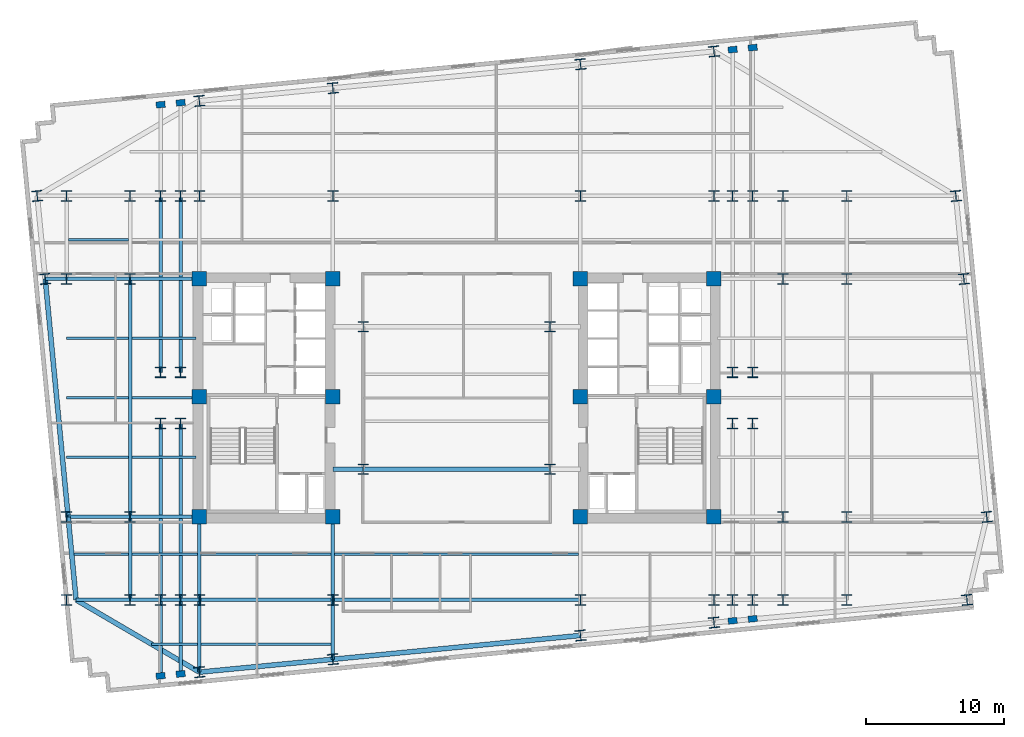
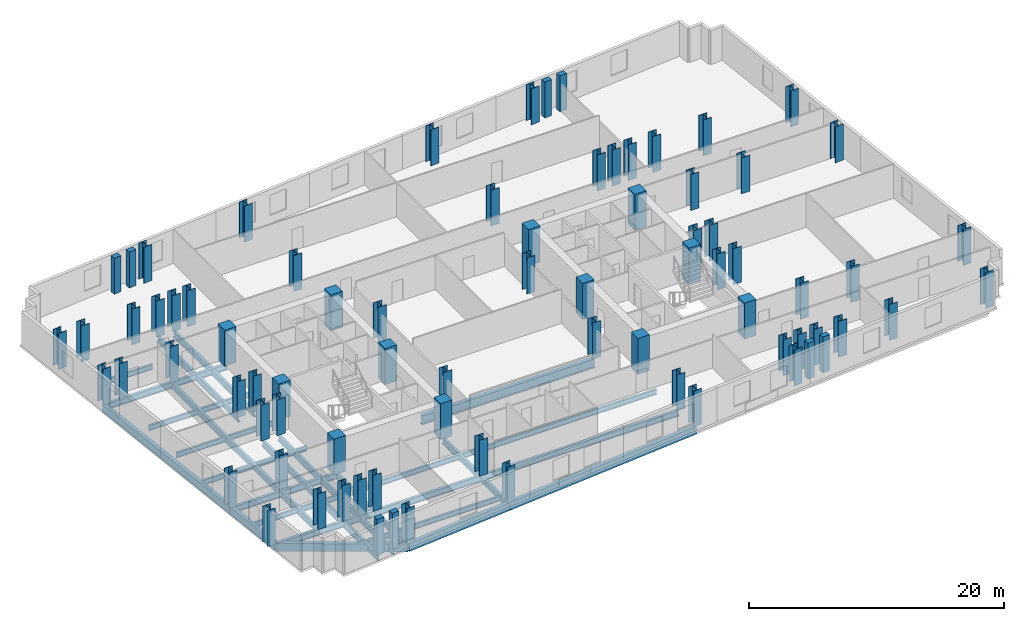
# One storey, part 1 of 10: 78 columns, 41 beams.
"""IFC4 building model written with IfcOpenShell, lengths in metres."""

from ifc_helpers import new_model, si_unit, direction, frame, origin, origin_2d, place, context, subcontext, project, spatial, rectangle, i_section, extrude, material, material_profile, profile_set, type_object, element, save


model = new_model("IFC4")

# Units and contexts
model_context = context("Model", 3, precision=1e-05, world=origin(), true_north=direction((0.0, 1.0)))
body_context = subcontext(model_context, "Body", "Model", "MODEL_VIEW")
ifc_project = project(units=[si_unit("LENGTHUNIT", "METRE"), si_unit("AREAUNIT", "SQUARE_METRE"), si_unit("VOLUMEUNIT", "CUBIC_METRE"), si_unit("PLANEANGLEUNIT", "RADIAN"), si_unit("MASSUNIT", "GRAM", prefix="KILO")], contexts=[model_context])

# Site, building, storey
site_placement = place(None, origin())
site = spatial("IfcSite", under=ifc_project, at=site_placement, CompositionType="ELEMENT")
building_placement = place(site_placement, origin())
building = spatial("IfcBuilding", under=site, at=building_placement, Name="Velakula Bourse", CompositionType="ELEMENT")
storey_placement = place(building_placement, frame((0.0, 0.0, 94.89990234375)))
storey = spatial("IfcBuildingStorey", under=building, at=storey_placement, Name="L25", CompositionType="ELEMENT", Elevation=94.89990234375)

# Columns
ifc_material_1 = material(Name="Concrete M70 (fck 70 MPa)", Category="concrete")
ifc_material_profile_1 = material_profile(ifc_material_1, rectangle(XDim=1.050048828125, YDim=1.050048828125, at=origin_2d()), Name="Concrete M70 (fck 70 MPa)")
ifc_profile_set_1 = profile_set([ifc_material_profile_1], Name="Concrete M70 (fck 70 MPa)")
column_type_1 = type_object("IfcColumnType", Name="COL-RC-1050", PredefinedType="COLUMN", material=ifc_profile_set_1)
for number, where, z_axis, x_axis, name in (
    (1, (-8.949951171875, -8.60009765625, 0.0), (0.0, 0.0, 1.0), (1.0, 0.0, 0.0), "L25 Core Boundary Column 01"),
    (2, (-8.949951171875, 0.10009765625, 0.0), (0.0, 0.0, 1.0), (1.0, 0.0, 0.0), "L25 Core Boundary Column 02"),
    (3, (-8.949951171875, 8.60009765625, 0.0), (0.0, 0.0, 1.0), (1.0, 0.0, 0.0), "L25 Core Boundary Column 03"),
    (4, (-18.60009765625, -8.60009765625, 0.0), (0.0, 0.0, 1.0), (1.0, 0.0, 0.0), "L25 Core Boundary Column 04"),
    (5, (-18.60009765625, 0.10009765625, 0.0), (0.0, 0.0, 1.0), (1.0, 0.0, 0.0), "L25 Core Boundary Column 05"),
    (6, (-18.60009765625, 8.60009765625, 0.0), (0.0, 0.0, 1.0), (1.0, 0.0, 0.0), "L25 Core Boundary Column 06"),
    (7, (8.949951171875, -8.60009765625, 0.0), (0.0, 0.0, 1.0), (1.0, 0.0, 0.0), "L25 Core Boundary Column 07"),
    (8, (8.949951171875, 0.10009765625, 0.0), (0.0, 0.0, 1.0), (1.0, 0.0, 0.0), "L25 Core Boundary Column 08"),
    (9, (8.949951171875, 8.60009765625, 0.0), (0.0, 0.0, 1.0), (1.0, 0.0, 0.0), "L25 Core Boundary Column 09"),
    (10, (18.60009765625, -8.60009765625, 0.0), (0.0, 0.0, 1.0), (1.0, 0.0, 0.0), "L25 Core Boundary Column 10"),
    (11, (18.60009765625, 0.10009765625, 0.0), (0.0, 0.0, 1.0), (1.0, 0.0, 0.0), "L25 Core Boundary Column 11"),
    (12, (18.60009765625, 8.60009765625, 0.0), (0.0, 0.0, 1.0), (1.0, 0.0, 0.0), "L25 Core Boundary Column 12"),
):
    element("IfcColumn", number, at=place(storey_placement, frame(where, z_axis=z_axis, x_axis=x_axis)), inside=storey, type_object=column_type_1, Name=name, PredefinedType="COLUMN", context=body_context, shape_type="SweptSolid", body=[
        extrude(rectangle(XDim=1.050048828125, YDim=1.050048828125, at=origin_2d()), origin(), (0.0, 0.0, 1.0), 3.4501953125),
    ])
ifc_material_2 = material(Name="Steel IS 2062 Grade 450 (E450)", Category="steel")
ifc_material_profile_2 = material_profile(ifc_material_2, i_section(OverallWidth=0.75, OverallDepth=0.75, WebThickness=0.030029296875, FlangeThickness=0.0439453125, at=origin_2d()), Name="Steel IS 2062 Grade 450 (E450)")
ifc_profile_set_2 = profile_set([ifc_material_profile_2], Name="Steel IS 2062 Grade 450 (E450)")
column_type_2 = type_object("IfcColumnType", Name="COL-STL-750", PredefinedType="COLUMN", material=ifc_profile_set_2)
for number, where, z_axis, x_axis, name in (
    (13, (-6.75, -5.14990234375, 0.0), (0.0, 0.0, 1.0), (1.0, 0.0, 0.0), "L25 Central Spine Column 01"),
    (14, (-6.75, 5.14990234375, 0.0), (0.0, 0.0, 1.0), (1.0, 0.0, 0.0), "L25 Central Spine Column 02"),
    (15, (6.75, -5.14990234375, 0.0), (0.0, 0.0, 1.0), (1.0, 0.0, 0.0), "L25 Central Spine Column 03"),
    (16, (6.75, 5.14990234375, 0.0), (0.0, 0.0, 1.0), (1.0, 0.0, 0.0), "L25 Central Spine Column 04"),
    (17, (-21.39990234375, -14.60009765625, 0.0), (0.0, 0.0, 1.0), (1.0, 0.0, 0.0), "L25 Tower Fulcrum Column 01"),
    (18, (-21.39990234375, 14.60009765625, 0.0), (0.0, 0.0, 1.0), (1.0, 0.0, 0.0), "L25 Tower Fulcrum Column 02"),
    (19, (-19.949951171875, -14.60009765625, 0.0), (0.0, 0.0, 1.0), (1.0, 0.0, 0.0), "L25 Tower Fulcrum Column 03"),
    (20, (-19.949951171875, 14.60009765625, 0.0), (0.0, 0.0, 1.0), (1.0, 0.0, 0.0), "L25 Tower Fulcrum Column 04"),
    (21, (-18.60009765625, -14.60009765625, 0.0), (0.0, 0.0, 1.0), (1.0, 0.0, 0.0), "L25 Tower Fulcrum Column 05"),
    (22, (-18.60009765625, 14.60009765625, 0.0), (0.0, 0.0, 1.0), (1.0, 0.0, 0.0), "L25 Tower Fulcrum Column 06"),
    (23, (-8.949951171875, -14.60009765625, 0.0), (0.0, 0.0, 1.0), (1.0, 0.0, 0.0), "L25 Tower Fulcrum Column 07"),
    (24, (-8.949951171875, 14.60009765625, 0.0), (0.0, 0.0, 1.0), (1.0, 0.0, 0.0), "L25 Tower Fulcrum Column 08"),
    (25, (8.949951171875, -14.60009765625, 0.0), (0.0, 0.0, 1.0), (1.0, 0.0, 0.0), "L25 Tower Fulcrum Column 09"),
    (26, (8.949951171875, 14.60009765625, 0.0), (0.0, 0.0, 1.0), (1.0, 0.0, 0.0), "L25 Tower Fulcrum Column 10"),
    (27, (18.60009765625, -14.60009765625, 0.0), (0.0, 0.0, 1.0), (1.0, 0.0, 0.0), "L25 Tower Fulcrum Column 11"),
    (28, (18.60009765625, 14.60009765625, 0.0), (0.0, 0.0, 1.0), (1.0, 0.0, 0.0), "L25 Tower Fulcrum Column 12"),
    (29, (19.949951171875, -14.60009765625, 0.0), (0.0, 0.0, 1.0), (1.0, 0.0, 0.0), "L25 Tower Fulcrum Column 13"),
    (30, (19.949951171875, 14.60009765625, 0.0), (0.0, 0.0, 1.0), (1.0, 0.0, 0.0), "L25 Tower Fulcrum Column 14"),
    (31, (21.39990234375, -14.60009765625, 0.0), (0.0, 0.0, 1.0), (1.0, 0.0, 0.0), "L25 Tower Fulcrum Column 15"),
    (32, (21.39990234375, 14.60009765625, 0.0), (0.0, 0.0, 1.0), (1.0, 0.0, 0.0), "L25 Tower Fulcrum Column 16"),
    (33, (-21.39990234375, -1.85009765625, 0.0), (0.0, 0.0, 1.0), (1.0, 0.0, 0.0), "L25 Tower Fulcrum Column 17"),
    (34, (-21.39990234375, 1.85009765625, 0.0), (0.0, 0.0, 1.0), (1.0, 0.0, 0.0), "L25 Tower Fulcrum Column 18"),
    (35, (-19.949951171875, -1.85009765625, 0.0), (0.0, 0.0, 1.0), (1.0, 0.0, 0.0), "L25 Tower Fulcrum Column 19"),
    (36, (-19.949951171875, 1.85009765625, 0.0), (0.0, 0.0, 1.0), (1.0, 0.0, 0.0), "L25 Tower Fulcrum Column 20"),
    (37, (19.949951171875, -1.85009765625, 0.0), (0.0, 0.0, 1.0), (1.0, 0.0, 0.0), "L25 Tower Fulcrum Column 21"),
    (38, (19.949951171875, 1.85009765625, 0.0), (0.0, 0.0, 1.0), (1.0, 0.0, 0.0), "L25 Tower Fulcrum Column 22"),
    (39, (21.39990234375, -1.85009765625, 0.0), (0.0, 0.0, 1.0), (1.0, 0.0, 0.0), "L25 Tower Fulcrum Column 23"),
    (40, (21.39990234375, 1.85009765625, 0.0), (0.0, 0.0, 1.0), (1.0, 0.0, 0.0), "L25 Tower Fulcrum Column 24"),
    (41, (-23.60009765625, -14.60009765625, 0.0), (0.0, 0.0, 1.0), (1.0, 0.0, 0.0), "L25 Mid-Wing Plumb Column 01"),
    (42, (-23.60009765625, -8.60009765625, 0.0), (0.0, 0.0, 1.0), (1.0, 0.0, 0.0), "L25 Mid-Wing Plumb Column 02"),
    (43, (-23.60009765625, 8.60009765625, 0.0), (0.0, 0.0, 1.0), (1.0, 0.0, 0.0), "L25 Mid-Wing Plumb Column 03"),
    (44, (-23.60009765625, 14.60009765625, 0.0), (0.0, 0.0, 1.0), (1.0, 0.0, 0.0), "L25 Mid-Wing Plumb Column 04"),
    (45, (23.60009765625, -14.60009765625, 0.0), (0.0, 0.0, 1.0), (1.0, 0.0, 0.0), "L25 Mid-Wing Plumb Column 05"),
    (46, (23.60009765625, -8.60009765625, 0.0), (0.0, 0.0, 1.0), (1.0, 0.0, 0.0), "L25 Mid-Wing Plumb Column 06"),
    (47, (23.60009765625, 8.60009765625, 0.0), (0.0, 0.0, 1.0), (1.0, 0.0, 0.0), "L25 Mid-Wing Plumb Column 07"),
    (48, (23.60009765625, 14.60009765625, 0.0), (0.0, 0.0, 1.0), (1.0, 0.0, 0.0), "L25 Mid-Wing Plumb Column 08"),
    (49, (-28.199951171875, -14.60009765625, 0.0), (0.0, 0.0, 1.0), (1.0, 0.0, 0.0), "L25 Lower Wing Column 01"),
    (50, (-28.199951171875, -8.60009765625, 0.0), (0.0, 0.0, 1.0), (1.0, 0.0, 0.0), "L25 Lower Wing Column 02"),
    (51, (-28.199951171875, 8.60009765625, 0.0), (0.0, 0.0, 1.0), (1.0, 0.0, 0.0), "L25 Lower Wing Column 03"),
    (52, (-28.199951171875, 14.60009765625, 0.0), (0.0, 0.0, 1.0), (1.0, 0.0, 0.0), "L25 Lower Wing Column 04"),
    (53, (28.199951171875, -14.60009765625, 0.0), (0.0, 0.0, 1.0), (1.0, 0.0, 0.0), "L25 Lower Wing Column 05"),
    (54, (28.199951171875, -8.60009765625, 0.0), (0.0, 0.0, 1.0), (1.0, 0.0, 0.0), "L25 Lower Wing Column 06"),
    (55, (28.199951171875, 8.60009765625, 0.0), (0.0, 0.0, 1.0), (1.0, 0.0, 0.0), "L25 Lower Wing Column 07"),
    (56, (28.199951171875, 14.60009765625, 0.0), (0.0, 0.0, 1.0), (1.0, 0.0, 0.0), "L25 Lower Wing Column 08"),
    (57, (-18.60009765625, -19.8212890625, 0.0), (0.0, 0.0, 1.0), (0.995396198367, 0.09584575252, 0.0), "L25 Block B2 Perimeter Column S1"),
    (58, (-8.949951171875, -18.89208984375, 0.0), (0.0, 0.0, 1.0), (0.995396198367, 0.09584575252, 0.0), "L25 Block B2 Perimeter Column S2"),
    (59, (8.949951171875, -17.16845703125, 0.0), (0.0, 0.0, 1.0), (0.995396198367, 0.09584575252, 0.0), "L25 Block B2 Perimeter Column S3"),
    (60, (18.60009765625, -16.2392578125, 0.0), (0.0, 0.0, 1.0), (0.995396198367, 0.09584575252, 0.0), "L25 Block B2 Perimeter Column S4"),
    (61, (-18.60009765625, 21.468994140625, 0.0), (0.0, 0.0, 1.0), (0.995396198367, 0.09584575252, 0.0), "L25 Block B2 Perimeter Column N1"),
    (62, (-8.949951171875, 22.398193359375, 0.0), (0.0, 0.0, 1.0), (0.995396198367, 0.09584575252, 0.0), "L25 Block B2 Perimeter Column N2"),
    (63, (8.949951171875, 24.12158203125, 0.0), (0.0, 0.0, 1.0), (0.995396198367, 0.09584575252, 0.0), "L25 Block B2 Perimeter Column N3"),
    (64, (18.60009765625, 25.05078125, 0.0), (0.0, 0.0, 1.0), (0.995396198367, 0.09584575252, 0.0), "L25 Block B2 Perimeter Column N4"),
    (65, (-29.7421875, 8.60009765625, 0.0), (0.0, 0.0, 1.0), (0.995396198367, 0.09584575252, 0.0), "L25 Block B2 Perimeter Column W3"),
    (66, (-30.31982421875, 14.60009765625, 0.0), (0.0, 0.0, 1.0), (0.995396198367, 0.09584575252, 0.0), "L25 Block B2 Perimeter Column W4"),
    (67, (36.88818359375, -14.60009765625, 0.0), (0.0, 0.0, 1.0), (0.995396198367, 0.09584575252, 0.0), "L25 Block B2 Perimeter Column E1"),
    (68, (38.31982421875, -8.60009765625, 0.0), (0.0, 0.0, 1.0), (0.995396198367, 0.09584575252, 0.0), "L25 Block B2 Perimeter Column E2"),
    (69, (36.66357421875, 8.60009765625, 0.0), (0.0, 0.0, 1.0), (0.995396198367, 0.09584575252, 0.0), "L25 Block B2 Perimeter Column E3"),
    (70, (36.0859375, 14.60009765625, 0.0), (0.0, 0.0, 1.0), (0.995396198367, 0.09584575252, 0.0), "L25 Block B2 Perimeter Column E4"),
):
    element("IfcColumn", number, at=place(storey_placement, frame(where, z_axis=z_axis, x_axis=x_axis)), inside=storey, type_object=column_type_2, Name=name, PredefinedType="COLUMN", context=body_context, shape_type="SweptSolid", body=[
        extrude(i_section(OverallWidth=0.75, OverallDepth=0.75, WebThickness=0.030029296875, FlangeThickness=0.0439453125, at=origin_2d()), origin(), (0.0, 0.0, 1.0), 3.4501953125),
    ])
ifc_material_3 = material(Name="Precast concrete M45 (fck 45 MPa)", Category="concrete")
ifc_material_profile_3 = material_profile(ifc_material_3, rectangle(XDim=0.64990234375, YDim=0.449951171875, at=origin_2d()), Name="Precast concrete M45 (fck 45 MPa)")
ifc_profile_set_3 = profile_set([ifc_material_profile_3], Name="Precast concrete M45 (fck 45 MPa)")
column_type_3 = type_object("IfcColumnType", Name="PIL-BRICK-650", PredefinedType="PILASTER", material=ifc_profile_set_3)
for number, where, z_axis, x_axis, name in (
    (71, (-21.39990234375, -20.0908203125, 0.0), (0.0, 0.0, 1.0), (0.995396198367, 0.09584575252, 0.0), "L25 Brick Pier Pilaster 01"),
    (72, (-19.949951171875, -19.951171875, 0.0), (0.0, 0.0, 1.0), (0.995396198367, 0.09584575252, 0.0), "L25 Brick Pier Pilaster 02"),
    (73, (19.949951171875, -16.109130859375, 0.0), (0.0, 0.0, 1.0), (0.995396198367, 0.09584575252, 0.0), "L25 Brick Pier Pilaster 03"),
    (74, (21.39990234375, -15.969482421875, 0.0), (0.0, 0.0, 1.0), (0.995396198367, 0.09584575252, 0.0), "L25 Brick Pier Pilaster 04"),
    (75, (-21.39990234375, 21.19921875, 0.0), (0.0, 0.0, 1.0), (0.995396198367, 0.09584575252, 0.0), "L25 Brick Pier Pilaster 05"),
    (76, (-19.949951171875, 21.3388671875, 0.0), (0.0, 0.0, 1.0), (0.995396198367, 0.09584575252, 0.0), "L25 Brick Pier Pilaster 06"),
    (77, (19.949951171875, 25.180908203125, 0.0), (0.0, 0.0, 1.0), (0.995396198367, 0.09584575252, 0.0), "L25 Brick Pier Pilaster 07"),
    (78, (21.39990234375, 25.320556640625, 0.0), (0.0, 0.0, 1.0), (0.995396198367, 0.09584575252, 0.0), "L25 Brick Pier Pilaster 08"),
):
    element("IfcColumn", number, at=place(storey_placement, frame(where, z_axis=z_axis, x_axis=x_axis)), inside=storey, type_object=column_type_3, Name=name, PredefinedType="PILASTER", context=body_context, shape_type="SweptSolid", body=[
        extrude(rectangle(XDim=0.64990234375, YDim=0.449951171875, at=origin_2d()), origin(), (0.0, 0.0, 1.0), 3.4501953125),
    ])

# Beams
ifc_material_4 = material(Name="Steel IS 2062 Grade 350 (E350)", Category="steel")
ifc_material_profile_4 = material_profile(ifc_material_4, i_section(OverallWidth=0.25, OverallDepth=0.60009765625, WebThickness=0.01171875, FlangeThickness=0.023681640625, at=origin_2d()), Name="Steel IS 2062 Grade 350 (E350)")
ifc_profile_set_4 = profile_set([ifc_material_profile_4], Name="Steel IS 2062 Grade 350 (E350)")
beam_type_1 = type_object("IfcBeamType", Name="BM-GRD-600H", PredefinedType="BEAM", material=ifc_profile_set_4)
for number, where, z_axis, x_axis, name in (
    (79, (-18.60009765625, -14.60009765625, -0.47998046875), (0.0, 1.0, 0.0), (-1.0, 0.0, 0.0), "L25 Fulcrum Grid Girder FLC-WS"),
    (80, (-8.949951171875, -14.60009765625, -0.47998046875), (0.0, 1.0, 0.0), (-1.0, 0.0, 0.0), "L25 Fulcrum Grid Girder FLC-WCS"),
):
    element("IfcBeam", number, at=place(storey_placement, frame(where, z_axis=z_axis, x_axis=x_axis)), inside=storey, type_object=beam_type_1, Name=name, PredefinedType="BEAM", context=body_context, shape_type="SweptSolid", body=[
        extrude(i_section(OverallWidth=0.25, OverallDepth=0.60009765625, WebThickness=0.01171875, FlangeThickness=0.023681640625, at=origin_2d()), origin(), (0.0, 0.0, 1.0), 6.0),
    ])
beam_1_placement = place(storey_placement, frame((-18.60009765625, -14.60009765625, -0.47998046875), z_axis=(1.0, 0.0, 0.0), x_axis=(0.0, 1.0, 0.0)))
element("IfcBeam", 81, at=beam_1_placement, inside=storey, type_object=beam_type_1, Name="L25 Fulcrum Grid Girder FLC-S1", PredefinedType="BEAM", context=body_context, shape_type="SweptSolid", body=[
    extrude(i_section(OverallWidth=0.25, OverallDepth=0.60009765625, WebThickness=0.01171875, FlangeThickness=0.023681640625, at=origin_2d()), origin(), (0.0, 0.0, 1.0), 9.650146484375),
])
beam_2_placement = place(storey_placement, frame((-8.949951171875, -14.60009765625, -0.47998046875), z_axis=(1.0, 0.0, 0.0), x_axis=(0.0, 1.0, 0.0)))
element("IfcBeam", 82, at=beam_2_placement, inside=storey, type_object=beam_type_1, Name="L25 Fulcrum Grid Girder FLC-S2", PredefinedType="BEAM", context=body_context, shape_type="SweptSolid", body=[
    extrude(i_section(OverallWidth=0.25, OverallDepth=0.60009765625, WebThickness=0.01171875, FlangeThickness=0.023681640625, at=origin_2d()), origin(), (0.0, 0.0, 1.0), 17.89990234375),
])
for number, where, z_axis, x_axis, name in (
    (83, (-21.39990234375, -14.60009765625, -0.47998046875), (0.0, 1.0, 0.0), (-1.0, 0.0, 0.0), "L25 Fulcrum Grid Girder FLC-PSW1"),
    (84, (-21.39990234375, 1.85009765625, -0.47998046875), (0.0, 1.0, 0.0), (-1.0, 0.0, 0.0), "L25 Fulcrum Grid Girder FLC-PNW1"),
    (85, (-19.949951171875, -14.60009765625, -0.47998046875), (0.0, 1.0, 0.0), (-1.0, 0.0, 0.0), "L25 Fulcrum Grid Girder FLC-PSW2"),
    (86, (-19.949951171875, 1.85009765625, -0.47998046875), (0.0, 1.0, 0.0), (-1.0, 0.0, 0.0), "L25 Fulcrum Grid Girder FLC-PNW2"),
):
    element("IfcBeam", number, at=place(storey_placement, frame(where, z_axis=z_axis, x_axis=x_axis)), inside=storey, type_object=beam_type_1, Name=name, PredefinedType="BEAM", context=body_context, shape_type="SweptSolid", body=[
        extrude(i_section(OverallWidth=0.25, OverallDepth=0.60009765625, WebThickness=0.01171875, FlangeThickness=0.023681640625, at=origin_2d()), origin(), (0.0, 0.0, 1.0), 12.75),
    ])
for number, where, z_axis, x_axis, name in (
    (87, (-23.60009765625, -14.60009765625, -0.47998046875), (1.0, 0.0, 0.0), (0.0, 1.0, 0.0), "L25 Fulcrum Grid Girder MWG-WS1"),
    (88, (-23.60009765625, -8.60009765625, -0.47998046875), (1.0, 0.0, 0.0), (0.0, 1.0, 0.0), "L25 Fulcrum Grid Girder MWG-WS2"),
    (89, (-23.60009765625, 8.60009765625, -0.47998046875), (1.0, 0.0, 0.0), (0.0, 1.0, 0.0), "L25 Fulcrum Grid Girder MWG-WN1"),
):
    element("IfcBeam", number, at=place(storey_placement, frame(where, z_axis=z_axis, x_axis=x_axis)), inside=storey, type_object=beam_type_1, Name=name, PredefinedType="BEAM", context=body_context, shape_type="SweptSolid", body=[
        extrude(i_section(OverallWidth=0.25, OverallDepth=0.60009765625, WebThickness=0.01171875, FlangeThickness=0.023681640625, at=origin_2d()), origin(), (0.0, 0.0, 1.0), 5.0),
    ])
beam_3_placement = place(storey_placement, frame((-23.60009765625, -14.60009765625, -0.47998046875), z_axis=(0.0, 1.0, 0.0), x_axis=(-1.0, 0.0, 0.0)))
element("IfcBeam", 90, at=beam_3_placement, inside=storey, type_object=beam_type_1, Name="L25 Fulcrum Grid Girder MWG-WNS1", PredefinedType="BEAM", context=body_context, shape_type="SweptSolid", body=[
    extrude(i_section(OverallWidth=0.25, OverallDepth=0.60009765625, WebThickness=0.01171875, FlangeThickness=0.023681640625, at=origin_2d()), origin(), (0.0, 0.0, 1.0), 6.0),
])
beam_4_placement = place(storey_placement, frame((-23.60009765625, -8.60009765625, -0.47998046875), z_axis=(0.0, 1.0, 0.0), x_axis=(-1.0, 0.0, 0.0)))
element("IfcBeam", 91, at=beam_4_placement, inside=storey, type_object=beam_type_1, Name="L25 Fulcrum Grid Girder MWG-WNS2", PredefinedType="BEAM", context=body_context, shape_type="SweptSolid", body=[
    extrude(i_section(OverallWidth=0.25, OverallDepth=0.60009765625, WebThickness=0.01171875, FlangeThickness=0.023681640625, at=origin_2d()), origin(), (0.0, 0.0, 1.0), 17.2001953125),
])
beam_5_placement = place(storey_placement, frame((-27.50830078125, -14.60009765625, -0.47998046875), z_axis=(1.0, 0.0, 0.0), x_axis=(0.0, 1.0, 0.0)))
element("IfcBeam", 92, at=beam_5_placement, inside=storey, type_object=beam_type_1, Name="L25 Fulcrum Grid Girder WNG-WS1", PredefinedType="BEAM", context=body_context, shape_type="SweptSolid", body=[
    extrude(i_section(OverallWidth=0.25, OverallDepth=0.60009765625, WebThickness=0.01171875, FlangeThickness=0.023681640625, at=origin_2d()), origin(), (0.0, 0.0, 1.0), 3.908203125),
])
beam_6_placement = place(storey_placement, frame((-28.0859375, -8.60009765625, -0.47998046875), z_axis=(1.0, 0.0, 0.0), x_axis=(0.0, 1.0, 0.0)))
element("IfcBeam", 93, at=beam_6_placement, inside=storey, type_object=beam_type_1, Name="L25 Fulcrum Grid Girder WNG-WS2", PredefinedType="BEAM", context=body_context, shape_type="SweptSolid", body=[
    extrude(i_section(OverallWidth=0.25, OverallDepth=0.60009765625, WebThickness=0.01171875, FlangeThickness=0.023681640625, at=origin_2d()), origin(), (0.0, 0.0, 1.0), 4.48583984375),
])
beam_7_placement = place(storey_placement, frame((-28.199951171875, 8.60009765625, -0.47998046875), z_axis=(1.0, 0.0, 0.0), x_axis=(0.0, 1.0, 0.0)))
element("IfcBeam", 94, at=beam_7_placement, inside=storey, type_object=beam_type_1, Name="L25 Fulcrum Grid Girder WNG-WN1", PredefinedType="BEAM", context=body_context, shape_type="SweptSolid", body=[
    extrude(i_section(OverallWidth=0.25, OverallDepth=0.60009765625, WebThickness=0.01171875, FlangeThickness=0.023681640625, at=origin_2d()), origin(), (0.0, 0.0, 1.0), 4.599853515625),
])
beam_8_placement = place(storey_placement, frame((-18.60009765625, -14.60009765625, -0.47998046875), z_axis=(0.0, -1.0, 0.0), x_axis=(1.0, 0.0, 0.0)))
element("IfcBeam", 95, at=beam_8_placement, inside=storey, type_object=beam_type_1, Name="L25 Perimeter Tie Girder S1", PredefinedType="BEAM", context=body_context, shape_type="SweptSolid", body=[
    extrude(i_section(OverallWidth=0.25, OverallDepth=0.60009765625, WebThickness=0.01171875, FlangeThickness=0.023681640625, at=origin_2d()), origin(), (0.0, 0.0, 1.0), 5.22119140625),
])
beam_9_placement = place(storey_placement, frame((-8.949951171875, -14.60009765625, -0.47998046875), z_axis=(0.0, -1.0, 0.0), x_axis=(1.0, 0.0, 0.0)))
element("IfcBeam", 96, at=beam_9_placement, inside=storey, type_object=beam_type_1, Name="L25 Perimeter Tie Girder S2", PredefinedType="BEAM", context=body_context, shape_type="SweptSolid", body=[
    extrude(i_section(OverallWidth=0.25, OverallDepth=0.60009765625, WebThickness=0.01171875, FlangeThickness=0.023681640625, at=origin_2d()), origin(), (0.0, 0.0, 1.0), 4.2919921875),
])
beam_10_placement = place(storey_placement, frame((-28.199951171875, 8.60009765625, -0.47998046875), z_axis=(-1.0, 0.0, 0.0), x_axis=(0.0, -1.0, 0.0)))
element("IfcBeam", 97, at=beam_10_placement, inside=storey, type_object=beam_type_1, Name="L25 Perimeter Tie Girder W3", PredefinedType="BEAM", context=body_context, shape_type="SweptSolid", body=[
    extrude(i_section(OverallWidth=0.25, OverallDepth=0.60009765625, WebThickness=0.01171875, FlangeThickness=0.023681640625, at=origin_2d()), origin(), (0.0, 0.0, 1.0), 1.542236328125),
])
beam_11_placement = place(storey_placement, frame((-21.39990234375, -14.60009765625, -0.47998046875), z_axis=(0.0, -1.0, 0.0), x_axis=(1.0, 0.0, 0.0)))
element("IfcBeam", 98, at=beam_11_placement, inside=storey, type_object=beam_type_1, Name="L25 Perimeter Tie Girder P01", PredefinedType="BEAM", context=body_context, shape_type="SweptSolid", body=[
    extrude(i_section(OverallWidth=0.25, OverallDepth=0.60009765625, WebThickness=0.01171875, FlangeThickness=0.023681640625, at=origin_2d()), origin(), (0.0, 0.0, 1.0), 5.49072265625),
])
beam_12_placement = place(storey_placement, frame((-19.949951171875, -14.60009765625, -0.47998046875), z_axis=(0.0, -1.0, 0.0), x_axis=(1.0, 0.0, 0.0)))
element("IfcBeam", 99, at=beam_12_placement, inside=storey, type_object=beam_type_1, Name="L25 Perimeter Tie Girder P02", PredefinedType="BEAM", context=body_context, shape_type="SweptSolid", body=[
    extrude(i_section(OverallWidth=0.25, OverallDepth=0.60009765625, WebThickness=0.01171875, FlangeThickness=0.023681640625, at=origin_2d()), origin(), (0.0, 0.0, 1.0), 5.35107421875),
])
ifc_material_profile_5 = material_profile(ifc_material_4, i_section(OverallWidth=0.35009765625, OverallDepth=0.89990234375, WebThickness=0.02001953125, FlangeThickness=0.031982421875, at=origin_2d()), Name="Steel IS 2062 Grade 350 (E350)")
ifc_profile_set_5 = profile_set([ifc_material_profile_5], Name="Steel IS 2062 Grade 350 (E350)")
beam_type_2 = type_object("IfcBeamType", Name="BM-LNK-900", PredefinedType="BEAM", material=ifc_profile_set_5)
beam_13_placement = place(storey_placement, frame((-8.949951171875, -5.14990234375, -0.6298828125), z_axis=(1.0, 0.0, 0.0), x_axis=(0.0, 1.0, 0.0)))
element("IfcBeam", 100, at=beam_13_placement, inside=storey, type_object=beam_type_2, Name="L25 Primary Backbone Girder LNK-S1", PredefinedType="BEAM", context=body_context, shape_type="SweptSolid", body=[
    extrude(i_section(OverallWidth=0.35009765625, OverallDepth=0.89990234375, WebThickness=0.02001953125, FlangeThickness=0.031982421875, at=origin_2d()), origin(), (0.0, 0.0, 1.0), 2.199951171875),
])
beam_14_placement = place(storey_placement, frame((-6.75, -5.14990234375, -0.6298828125), z_axis=(1.0, 0.0, 0.0), x_axis=(0.0, 1.0, 0.0)))
element("IfcBeam", 101, at=beam_14_placement, inside=storey, type_object=beam_type_2, Name="L25 Primary Backbone Girder LNK-S2", PredefinedType="BEAM", context=body_context, shape_type="SweptSolid", body=[
    extrude(i_section(OverallWidth=0.35009765625, OverallDepth=0.89990234375, WebThickness=0.02001953125, FlangeThickness=0.031982421875, at=origin_2d()), origin(), (0.0, 0.0, 1.0), 13.5),
])
ifc_material_profile_6 = material_profile(ifc_material_4, i_section(OverallWidth=0.179931640625, OverallDepth=0.5, WebThickness=0.01025390625, FlangeThickness=0.01708984375, at=origin_2d()), Name="Steel IS 2062 Grade 350 (E350)")
ifc_profile_set_6 = profile_set([ifc_material_profile_6], Name="Steel IS 2062 Grade 350 (E350)")
beam_type_3 = type_object("IfcBeamType", Name="JST-TWR-500", PredefinedType="JOIST", material=ifc_profile_set_6)
beam_15_placement = place(storey_placement, frame((-22.048583984375, -17.800048828125, -0.429931640625), z_axis=(1.0, 0.0, 0.0), x_axis=(0.0, 1.0, 0.0)))
element("IfcBeam", 102, at=beam_15_placement, inside=storey, type_object=beam_type_3, Name="L25 Trading Floor Composite Joist 01", PredefinedType="JOIST", context=body_context, shape_type="SweptSolid", body=[
    extrude(i_section(OverallWidth=0.179931640625, OverallDepth=0.5, WebThickness=0.01025390625, FlangeThickness=0.01708984375, at=origin_2d()), origin(), (0.0, 0.0, 1.0), 3.323486328125),
])
beam_16_placement = place(storey_placement, frame((-18.47509765625, -17.800048828125, -0.429931640625), z_axis=(1.0, 0.0, 0.0), x_axis=(0.0, 1.0, 0.0)))
element("IfcBeam", 103, at=beam_16_placement, inside=storey, type_object=beam_type_3, Name="L25 Trading Floor Composite Joist 02", PredefinedType="JOIST", context=body_context, shape_type="SweptSolid", body=[
    extrude(i_section(OverallWidth=0.179931640625, OverallDepth=0.5, WebThickness=0.01025390625, FlangeThickness=0.01708984375, at=origin_2d()), origin(), (0.0, 0.0, 1.0), 9.400146484375),
])
beam_17_placement = place(storey_placement, frame((-27.650146484375, -11.300048828125, -0.429931640625), z_axis=(1.0, 0.0, 0.0), x_axis=(0.0, 1.0, 0.0)))
element("IfcBeam", 104, at=beam_17_placement, inside=storey, type_object=beam_type_3, Name="L25 Trading Floor Composite Joist 04", PredefinedType="JOIST", context=body_context, shape_type="SweptSolid", body=[
    extrude(i_section(OverallWidth=0.179931640625, OverallDepth=0.5, WebThickness=0.01025390625, FlangeThickness=0.01708984375, at=origin_2d()), origin(), (0.0, 0.0, 1.0), 3.925048828125),
])
beam_18_placement = place(storey_placement, frame((-23.47509765625, -11.300048828125, -0.429931640625), z_axis=(1.0, 0.0, 0.0), x_axis=(0.0, 1.0, 0.0)))
element("IfcBeam", 105, at=beam_18_placement, inside=storey, type_object=beam_type_3, Name="L25 Trading Floor Composite Joist 05", PredefinedType="JOIST", context=body_context, shape_type="SweptSolid", body=[
    extrude(i_section(OverallWidth=0.179931640625, OverallDepth=0.5, WebThickness=0.01025390625, FlangeThickness=0.01708984375, at=origin_2d()), origin(), (0.0, 0.0, 1.0), 4.75),
])
beam_19_placement = place(storey_placement, frame((-18.47509765625, -11.300048828125, -0.429931640625), z_axis=(1.0, 0.0, 0.0), x_axis=(0.0, 1.0, 0.0)))
element("IfcBeam", 106, at=beam_19_placement, inside=storey, type_object=beam_type_3, Name="L25 Trading Floor Composite Joist 06", PredefinedType="JOIST", context=body_context, shape_type="SweptSolid", body=[
    extrude(i_section(OverallWidth=0.179931640625, OverallDepth=0.5, WebThickness=0.01025390625, FlangeThickness=0.01708984375, at=origin_2d()), origin(), (0.0, 0.0, 1.0), 9.400146484375),
])
beam_20_placement = place(storey_placement, frame((-8.824951171875, -11.300048828125, -0.429931640625), z_axis=(1.0, 0.0, 0.0), x_axis=(0.0, 1.0, 0.0)))
element("IfcBeam", 107, at=beam_20_placement, inside=storey, type_object=beam_type_3, Name="L25 Trading Floor Composite Joist 07", PredefinedType="JOIST", context=body_context, shape_type="SweptSolid", body=[
    extrude(i_section(OverallWidth=0.179931640625, OverallDepth=0.5, WebThickness=0.01025390625, FlangeThickness=0.01708984375, at=origin_2d()), origin(), (0.0, 0.0, 1.0), 17.64990234375),
])
beam_21_placement = place(storey_placement, frame((-28.074951171875, 11.449951171875, -0.429931640625), z_axis=(1.0, 0.0, 0.0), x_axis=(0.0, 1.0, 0.0)))
element("IfcBeam", 108, at=beam_21_placement, inside=storey, type_object=beam_type_3, Name="L25 Trading Floor Composite Joist 12", PredefinedType="JOIST", context=body_context, shape_type="SweptSolid", body=[
    extrude(i_section(OverallWidth=0.179931640625, OverallDepth=0.5, WebThickness=0.01025390625, FlangeThickness=0.01708984375, at=origin_2d()), origin(), (0.0, 0.0, 1.0), 4.349853515625),
])
beam_22_placement = place(storey_placement, frame((-28.199951171875, -4.300048828125, -0.429931640625), z_axis=(1.0, 0.0, 0.0), x_axis=(0.0, 1.0, 0.0)))
element("IfcBeam", 109, at=beam_22_placement, inside=storey, type_object=beam_type_3, Name="L25 Trading Floor Composite Joist 33", PredefinedType="JOIST", context=body_context, shape_type="SweptSolid", body=[
    extrude(i_section(OverallWidth=0.179931640625, OverallDepth=0.5, WebThickness=0.01025390625, FlangeThickness=0.01708984375, at=origin_2d()), origin(), (0.0, 0.0, 1.0), 4.474853515625),
])
beam_23_placement = place(storey_placement, frame((-23.47509765625, -4.300048828125, -0.429931640625), z_axis=(1.0, 0.0, 0.0), x_axis=(0.0, 1.0, 0.0)))
element("IfcBeam", 110, at=beam_23_placement, inside=storey, type_object=beam_type_3, Name="L25 Trading Floor Composite Joist 34", PredefinedType="JOIST", context=body_context, shape_type="SweptSolid", body=[
    extrude(i_section(OverallWidth=0.179931640625, OverallDepth=0.5, WebThickness=0.01025390625, FlangeThickness=0.01708984375, at=origin_2d()), origin(), (0.0, 0.0, 1.0), 4.625),
])
beam_24_placement = place(storey_placement, frame((-28.199951171875, 0.0, -0.429931640625), z_axis=(1.0, 0.0, 0.0), x_axis=(0.0, 1.0, 0.0)))
element("IfcBeam", 111, at=beam_24_placement, inside=storey, type_object=beam_type_3, Name="L25 Trading Floor Composite Joist 38", PredefinedType="JOIST", context=body_context, shape_type="SweptSolid", body=[
    extrude(i_section(OverallWidth=0.179931640625, OverallDepth=0.5, WebThickness=0.01025390625, FlangeThickness=0.01708984375, at=origin_2d()), origin(), (0.0, 0.0, 1.0), 4.474853515625),
])
beam_25_placement = place(storey_placement, frame((-23.47509765625, 0.0, -0.429931640625), z_axis=(1.0, 0.0, 0.0), x_axis=(0.0, 1.0, 0.0)))
element("IfcBeam", 112, at=beam_25_placement, inside=storey, type_object=beam_type_3, Name="L25 Trading Floor Composite Joist 39", PredefinedType="JOIST", context=body_context, shape_type="SweptSolid", body=[
    extrude(i_section(OverallWidth=0.179931640625, OverallDepth=0.5, WebThickness=0.01025390625, FlangeThickness=0.01708984375, at=origin_2d()), origin(), (0.0, 0.0, 1.0), 4.625),
])
beam_26_placement = place(storey_placement, frame((-28.199951171875, 4.300048828125, -0.429931640625), z_axis=(1.0, 0.0, 0.0), x_axis=(0.0, 1.0, 0.0)))
element("IfcBeam", 113, at=beam_26_placement, inside=storey, type_object=beam_type_3, Name="L25 Trading Floor Composite Joist 43", PredefinedType="JOIST", context=body_context, shape_type="SweptSolid", body=[
    extrude(i_section(OverallWidth=0.179931640625, OverallDepth=0.5, WebThickness=0.01025390625, FlangeThickness=0.01708984375, at=origin_2d()), origin(), (0.0, 0.0, 1.0), 4.474853515625),
])
beam_27_placement = place(storey_placement, frame((-23.47509765625, 4.300048828125, -0.429931640625), z_axis=(1.0, 0.0, 0.0), x_axis=(0.0, 1.0, 0.0)))
element("IfcBeam", 114, at=beam_27_placement, inside=storey, type_object=beam_type_3, Name="L25 Trading Floor Composite Joist 44", PredefinedType="JOIST", context=body_context, shape_type="SweptSolid", body=[
    extrude(i_section(OverallWidth=0.179931640625, OverallDepth=0.5, WebThickness=0.01025390625, FlangeThickness=0.01708984375, at=origin_2d()), origin(), (0.0, 0.0, 1.0), 4.625),
])
ifc_material_profile_7 = material_profile(ifc_material_3, rectangle(XDim=0.35009765625, YDim=0.75, at=origin_2d()), Name="Precast concrete M45 (fck 45 MPa)")
ifc_profile_set_7 = profile_set([ifc_material_profile_7], Name="Precast concrete M45 (fck 45 MPa)")
beam_type_4 = type_object("IfcBeamType", Name="SPN-BRICK-750", PredefinedType="SPANDREL", material=ifc_profile_set_7)
beam_28_placement = place(storey_placement, frame((-18.60009765625, -19.8212890625, -0.554931640625), z_axis=(0.99539623971, 0.095845323155, 0.0), x_axis=(-0.095845323155, 0.99539623971, 0.0)))
element("IfcBeam", 115, at=beam_28_placement, inside=storey, type_object=beam_type_4, Name="L25 Brick-Faced Precast Spandrel S1-S2", PredefinedType="SPANDREL", context=body_context, shape_type="SweptSolid", body=[
    extrude(rectangle(XDim=0.35009765625, YDim=0.75, at=origin_2d()), origin(), (0.0, 0.0, 1.0), 9.69482421875),
])
beam_29_placement = place(storey_placement, frame((-8.949951171875, -18.89208984375, -0.554931640625), z_axis=(0.995395836254, 0.095849513134, 0.0), x_axis=(-0.095849513134, 0.995395836254, 0.0)))
element("IfcBeam", 116, at=beam_29_placement, inside=storey, type_object=beam_type_4, Name="L25 Brick-Faced Precast Spandrel S2-S3", PredefinedType="SPANDREL", context=body_context, shape_type="SweptSolid", body=[
    extrude(rectangle(XDim=0.35009765625, YDim=0.75, at=origin_2d()), origin(), (0.0, 0.0, 1.0), 17.982666015625),
])
beam_30_placement = place(storey_placement, frame((-27.50830078125, -14.60009765625, -0.554931640625), z_axis=(-0.095829714309, 0.995397742541, 0.0), x_axis=(-0.995397742541, -0.095829714309, 0.0)))
element("IfcBeam", 117, at=beam_30_placement, inside=storey, type_object=beam_type_4, Name="L25 Brick-Faced Precast Spandrel W1-W2", PredefinedType="SPANDREL", context=body_context, shape_type="SweptSolid", body=[
    extrude(rectangle(XDim=0.35009765625, YDim=0.75, at=origin_2d()), origin(), (0.0, 0.0, 1.0), 6.02783203125),
])
beam_31_placement = place(storey_placement, frame((-28.0859375, -8.60009765625, -0.554931640625), z_axis=(-0.095849167925, 0.995395869495, 0.0), x_axis=(-0.995395869495, -0.095849167925, 0.0)))
element("IfcBeam", 118, at=beam_31_placement, inside=storey, type_object=beam_type_4, Name="L25 Brick-Faced Precast Spandrel W2-W3", PredefinedType="SPANDREL", context=body_context, shape_type="SweptSolid", body=[
    extrude(rectangle(XDim=0.35009765625, YDim=0.75, at=origin_2d()), origin(), (0.0, 0.0, 1.0), 17.27978515625),
])
beam_32_placement = place(storey_placement, frame((-27.50830078125, -14.60009765625, -0.554931640625), z_axis=(0.862734250413, -0.505657604674, 0.0), x_axis=(0.505657604674, 0.862734250413, 0.0)))
element("IfcBeam", 119, at=beam_32_placement, inside=storey, type_object=beam_type_4, Name="L25 Brick-Faced Precast Spandrel W1-S1", PredefinedType="SPANDREL", context=body_context, shape_type="SweptSolid", body=[
    extrude(rectangle(XDim=0.35009765625, YDim=0.75, at=origin_2d()), origin(), (0.0, 0.0, 1.0), 10.325439453125),
])

save(model, "model.ifc")
